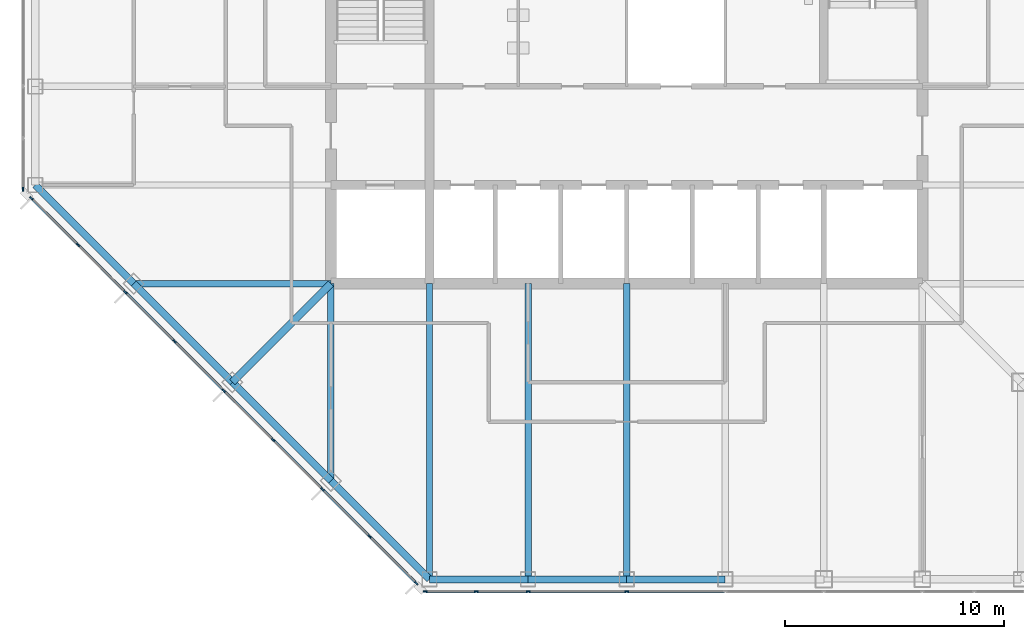
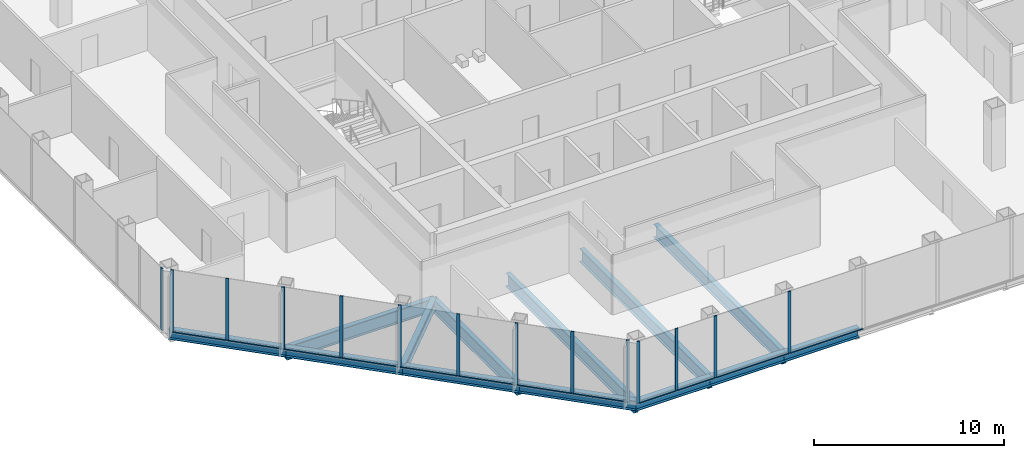
# One storey, part 2 of 13: 26 members, 13 beams, 3 elements without a shape of their own.
"""IFC4 building model written with IfcOpenShell, lengths in metres."""

from ifc_helpers import new_model, si_unit, direction, frame, origin, origin_2d, place, context, subcontext, project, spatial, rectangle, i_section, extrude, material, material_profile, profile_set, type_object, element, aggregate, save


model = new_model("IFC4")

# Units and contexts
model_context = context("Model", 3, precision=1e-05, world=origin(), true_north=direction((0.0, 1.0)))
body_context = subcontext(model_context, "Body", "Model", "MODEL_VIEW")
ifc_project = project(units=[si_unit("LENGTHUNIT", "METRE"), si_unit("AREAUNIT", "SQUARE_METRE"), si_unit("VOLUMEUNIT", "CUBIC_METRE"), si_unit("PLANEANGLEUNIT", "RADIAN"), si_unit("MASSUNIT", "GRAM", prefix="KILO")], contexts=[model_context])

# Site, building, storey
site_placement = place(None, origin())
site = spatial("IfcSite", under=ifc_project, at=site_placement, CompositionType="ELEMENT")
building_placement = place(site_placement, origin())
building = spatial("IfcBuilding", under=site, at=building_placement, Name="Corais Broadcast Tower", CompositionType="ELEMENT")
storey_placement = place(building_placement, frame((0.0, 0.0, 175.60009765625)))
storey = spatial("IfcBuildingStorey", under=building, at=storey_placement, Name="L40", CompositionType="ELEMENT", Elevation=175.60009765625)

# Beams
ifc_material_1 = material(Name="Steel ASTM A572 Grade 50", Category="steel")
ifc_material_profile_1 = material_profile(ifc_material_1, i_section(OverallWidth=0.323974609375, OverallDepth=0.611083984375, WebThickness=0.0126953125, FlangeThickness=0.01904296875, at=origin_2d()), Name="W610x155")
ifc_profile_set_1 = profile_set([ifc_material_profile_1], Name="Steel ASTM A572 Grade 50")
beam_type_1 = type_object("IfcBeamType", Name="Corner diagonal W610x155", PredefinedType="BEAM", material=ifc_profile_set_1)
beam_1_placement = place(storey_placement, frame((9.0, 9.0, -0.465576171875), z_axis=(0.707106781187, 0.707106781187, 0.0), x_axis=(-0.707106781187, 0.707106781187, 0.0)))
element("IfcBeam", 1, at=beam_1_placement, inside=storey, type_object=beam_type_1, Name="B6 C/5 to D/6", PredefinedType="BEAM", context=body_context, shape_type="SweptSolid", body=[
    extrude(i_section(OverallWidth=0.323974609375, OverallDepth=0.611083984375, WebThickness=0.0126953125, FlangeThickness=0.01904296875, at=origin_2d()), origin(), (0.0, 0.0, 1.0), 6.364013671875),
])
ifc_material_2 = material(Name="Steel ASTM A572 Grade 50", Category="steel")
ifc_material_profile_2 = material_profile(ifc_material_2, i_section(OverallWidth=0.2939453125, OverallDepth=0.85107421875, WebThickness=0.01611328125, FlangeThickness=0.02685546875, at=origin_2d()), Name="W840x226")
ifc_profile_set_2 = profile_set([ifc_material_profile_2], Name="Steel ASTM A572 Grade 50")
beam_type_2 = type_object("IfcBeamType", Name="Floor beam W840x226", PredefinedType="BEAM", material=ifc_profile_set_2)
beam_2_placement = place(storey_placement, frame((13.5, 4.5, -0.585693359375), z_axis=(0.0, 1.0, 0.0), x_axis=(-1.0, 0.0, 0.0)))
element("IfcBeam", 2, at=beam_2_placement, inside=storey, type_object=beam_type_2, Name="B1 B/6 to D/6", PredefinedType="BEAM", context=body_context, shape_type="SweptSolid", body=[
    extrude(i_section(OverallWidth=0.2939453125, OverallDepth=0.85107421875, WebThickness=0.01611328125, FlangeThickness=0.02685546875, at=origin_2d()), origin(), (0.0, 0.0, 1.0), 9.0),
])
for number, where, z_axis, x_axis, name in (
    (3, (18.0, 0.0, -0.585693359375), (0.0, 1.0, 0.0), (-1.0, 0.0, 0.0), "B1 A/7 to D/7"),
    (4, (22.5, 0.0, -0.585693359375), (0.0, 1.0, 0.0), (-1.0, 0.0, 0.0), "B1 A/8 to D/8"),
    (5, (27.0, 0.0, -0.585693359375), (0.0, 1.0, 0.0), (-1.0, 0.0, 0.0), "B1 A/9 to D/9"),
):
    element("IfcBeam", number, at=place(storey_placement, frame(where, z_axis=z_axis, x_axis=x_axis)), inside=storey, type_object=beam_type_2, Name=name, PredefinedType="BEAM", context=body_context, shape_type="SweptSolid", body=[
        extrude(i_section(OverallWidth=0.2939453125, OverallDepth=0.85107421875, WebThickness=0.01611328125, FlangeThickness=0.02685546875, at=origin_2d()), origin(), (0.0, 0.0, 1.0), 13.5),
    ])
beam_3_placement = place(storey_placement, frame((4.5, 13.5, -0.585693359375), z_axis=(1.0, 0.0, 0.0), x_axis=(0.0, 1.0, 0.0)))
element("IfcBeam", 6, at=beam_3_placement, inside=storey, type_object=beam_type_2, Name="B1 D/4 to D/6", PredefinedType="BEAM", context=body_context, shape_type="SweptSolid", body=[
    extrude(i_section(OverallWidth=0.2939453125, OverallDepth=0.85107421875, WebThickness=0.01611328125, FlangeThickness=0.02685546875, at=origin_2d()), origin(), (0.0, 0.0, 1.0), 9.0),
])

# Curtain wall, members
ifc_material_3 = material(Name="Aluminium and glass", Category="aluminium")
curtain_wall_type = type_object("IfcCurtainWallType", Name="Unitised fritted curtain wall CW2", PredefinedType="NOTDEFINED", material=ifc_material_3)
curtain_wall_1_placement = place(storey_placement, origin())
curtain_wall_1 = element("IfcCurtainWall", 7, at=curtain_wall_1_placement, inside=storey, type_object=curtain_wall_type, Name="CW2 curtain wall L40 1", PredefinedType="NOTDEFINED")
ifc_material_4 = material(Name="Aluminium 6063-T6", Category="aluminium")
ifc_material_profile_3 = material_profile(ifc_material_4, rectangle(XDim=0.06494140625, YDim=0.179931640625, at=origin_2d()), Name="Mullion CW2 65x180")
ifc_profile_set_3 = profile_set([ifc_material_profile_3], Name="Aluminium 6063-T6")
member_type_1 = type_object("IfcMemberType", Name="Mullion CW2 65x180", PredefinedType="MULLION", material=ifc_profile_set_3)
member_1_placement = place(storey_placement, frame((17.3955078125, -0.17333984375, 0.0), z_axis=(0.0, 0.0, 1.0), x_axis=(-0.707106781187, -0.707106781187, 0.0)))
member_1 = element("IfcMember", 8, at=member_1_placement, type_object=member_type_1, Name="CW2 mullion 1", PredefinedType="MULLION", context=body_context, shape_type="SweptSolid", body=[
    extrude(rectangle(XDim=0.06494140625, YDim=0.179931640625, at=origin_2d()), origin(), (0.0, 0.0, 1.0), 4.0),
])
member_2_placement = place(storey_placement, frame((15.264892578125, 1.957275390625, 0.0), z_axis=(0.0, 0.0, 1.0), x_axis=(-0.707106781187, -0.707106781187, 0.0)))
member_2 = element("IfcMember", 9, at=member_2_placement, type_object=member_type_1, Name="CW2 mullion 2", PredefinedType="MULLION", context=body_context, shape_type="SweptSolid", body=[
    extrude(rectangle(XDim=0.06494140625, YDim=0.179931640625, at=origin_2d()), origin(), (0.0, 0.0, 1.0), 4.0),
])
member_3_placement = place(storey_placement, frame((13.111083984375, 4.111083984375, 0.0), z_axis=(0.0, 0.0, 1.0), x_axis=(-0.707106781187, -0.707106781187, 0.0)))
member_3 = element("IfcMember", 10, at=member_3_placement, type_object=member_type_1, Name="CW2 mullion 3", PredefinedType="MULLION", context=body_context, shape_type="SweptSolid", body=[
    extrude(rectangle(XDim=0.06494140625, YDim=0.179931640625, at=origin_2d()), origin(), (0.0, 0.0, 1.0), 4.0),
])
member_4_placement = place(storey_placement, frame((10.861083984375, 6.361083984375, 0.0), z_axis=(0.0, 0.0, 1.0), x_axis=(-0.707106781187, -0.707106781187, 0.0)))
member_4 = element("IfcMember", 11, at=member_4_placement, type_object=member_type_1, Name="CW2 mullion 4", PredefinedType="MULLION", context=body_context, shape_type="SweptSolid", body=[
    extrude(rectangle(XDim=0.06494140625, YDim=0.179931640625, at=origin_2d()), origin(), (0.0, 0.0, 1.0), 4.0),
])
member_5_placement = place(storey_placement, frame((8.611083984375, 8.611083984375, 0.0), z_axis=(0.0, 0.0, 1.0), x_axis=(-0.707106781187, -0.707106781187, 0.0)))
member_5 = element("IfcMember", 12, at=member_5_placement, type_object=member_type_1, Name="CW2 mullion 5", PredefinedType="MULLION", context=body_context, shape_type="SweptSolid", body=[
    extrude(rectangle(XDim=0.06494140625, YDim=0.179931640625, at=origin_2d()), origin(), (0.0, 0.0, 1.0), 4.0),
])
member_6_placement = place(storey_placement, frame((6.361083984375, 10.861083984375, 0.0), z_axis=(0.0, 0.0, 1.0), x_axis=(-0.707106781187, -0.707106781187, 0.0)))
member_6 = element("IfcMember", 13, at=member_6_placement, type_object=member_type_1, Name="CW2 mullion 6", PredefinedType="MULLION", context=body_context, shape_type="SweptSolid", body=[
    extrude(rectangle(XDim=0.06494140625, YDim=0.179931640625, at=origin_2d()), origin(), (0.0, 0.0, 1.0), 4.0),
])
member_7_placement = place(storey_placement, frame((4.111083984375, 13.111083984375, 0.0), z_axis=(0.0, 0.0, 1.0), x_axis=(-0.707106781187, -0.707106781187, 0.0)))
member_7 = element("IfcMember", 14, at=member_7_placement, type_object=member_type_1, Name="CW2 mullion 7", PredefinedType="MULLION", context=body_context, shape_type="SweptSolid", body=[
    extrude(rectangle(XDim=0.06494140625, YDim=0.179931640625, at=origin_2d()), origin(), (0.0, 0.0, 1.0), 4.0),
])
member_8_placement = place(storey_placement, frame((1.957275390625, 15.264892578125, 0.0), z_axis=(0.0, 0.0, 1.0), x_axis=(-0.707106781187, -0.707106781187, 0.0)))
member_8 = element("IfcMember", 15, at=member_8_placement, type_object=member_type_1, Name="CW2 mullion 8", PredefinedType="MULLION", context=body_context, shape_type="SweptSolid", body=[
    extrude(rectangle(XDim=0.06494140625, YDim=0.179931640625, at=origin_2d()), origin(), (0.0, 0.0, 1.0), 4.0),
])
member_9_placement = place(storey_placement, frame((-0.17333984375, 17.3955078125, 0.0), z_axis=(0.0, 0.0, 1.0), x_axis=(-0.707106781187, -0.707106781187, 0.0)))
member_9 = element("IfcMember", 16, at=member_9_placement, type_object=member_type_1, Name="CW2 mullion 9", PredefinedType="MULLION", context=body_context, shape_type="SweptSolid", body=[
    extrude(rectangle(XDim=0.06494140625, YDim=0.179931640625, at=origin_2d()), origin(), (0.0, 0.0, 1.0), 4.0),
])

# Curtain wall, member
curtain_wall_2_placement = place(storey_placement, origin())
curtain_wall_2 = element("IfcCurtainWall", 17, at=curtain_wall_2_placement, inside=storey, type_object=curtain_wall_type, Name="CW2 curtain wall L40 2", PredefinedType="NOTDEFINED")
member_10_placement = place(storey_placement, frame((-0.550048828125, 17.8046875, 0.0), z_axis=(0.0, 0.0, 1.0), x_axis=(-1.0, 0.0, 0.0)))
member_10 = element("IfcMember", 18, at=member_10_placement, type_object=member_type_1, Name="CW2 mullion 1", PredefinedType="MULLION", context=body_context, shape_type="SweptSolid", body=[
    extrude(rectangle(XDim=0.06494140625, YDim=0.179931640625, at=origin_2d()), origin(), (0.0, 0.0, 1.0), 4.0),
])
aggregate(curtain_wall_2, [member_10])

# Curtain wall, members
curtain_wall_3_placement = place(storey_placement, origin())
curtain_wall_3 = element("IfcCurtainWall", 19, at=curtain_wall_3_placement, inside=storey, type_object=curtain_wall_type, Name="CW2 curtain wall L40 8", PredefinedType="NOTDEFINED")
member_11_placement = place(storey_placement, frame((27.0, -0.550048828125, 0.0), z_axis=(0.0, 0.0, 1.0), x_axis=(0.0, -1.0, 0.0)))
member_11 = element("IfcMember", 20, at=member_11_placement, type_object=member_type_1, Name="CW2 mullion 6", PredefinedType="MULLION", context=body_context, shape_type="SweptSolid", body=[
    extrude(rectangle(XDim=0.06494140625, YDim=0.179931640625, at=origin_2d()), origin(), (0.0, 0.0, 1.0), 4.0),
])
member_12_placement = place(storey_placement, frame((22.5, -0.550048828125, 0.0), z_axis=(0.0, 0.0, 1.0), x_axis=(0.0, -1.0, 0.0)))
member_12 = element("IfcMember", 21, at=member_12_placement, type_object=member_type_1, Name="CW2 mullion 7", PredefinedType="MULLION", context=body_context, shape_type="SweptSolid", body=[
    extrude(rectangle(XDim=0.06494140625, YDim=0.179931640625, at=origin_2d()), origin(), (0.0, 0.0, 1.0), 4.0),
])
member_13_placement = place(storey_placement, frame((20.135986328125, -0.550048828125, 0.0), z_axis=(0.0, 0.0, 1.0), x_axis=(0.0, -1.0, 0.0)))
member_13 = element("IfcMember", 22, at=member_13_placement, type_object=member_type_1, Name="CW2 mullion 8", PredefinedType="MULLION", context=body_context, shape_type="SweptSolid", body=[
    extrude(rectangle(XDim=0.06494140625, YDim=0.179931640625, at=origin_2d()), origin(), (0.0, 0.0, 1.0), 4.0),
])
member_14_placement = place(storey_placement, frame((17.8046875, -0.550048828125, 0.0), z_axis=(0.0, 0.0, 1.0), x_axis=(0.0, -1.0, 0.0)))
member_14 = element("IfcMember", 23, at=member_14_placement, type_object=member_type_1, Name="CW2 mullion 9", PredefinedType="MULLION", context=body_context, shape_type="SweptSolid", body=[
    extrude(rectangle(XDim=0.06494140625, YDim=0.179931640625, at=origin_2d()), origin(), (0.0, 0.0, 1.0), 4.0),
])

# Beams
ifc_material_5 = material(Name="Steel ASTM A572 Grade 50", Category="steel")
ifc_material_profile_4 = material_profile(ifc_material_5, i_section(OverallWidth=0.3291015625, OverallDepth=0.635009765625, WebThickness=0.017822265625, FlangeThickness=0.031005859375, at=origin_2d()), Name="W610x241")
ifc_profile_set_4 = profile_set([ifc_material_profile_4], Name="Steel ASTM A572 Grade 50")
beam_type_3 = type_object("IfcBeamType", Name="Spandrel W610x241", PredefinedType="BEAM", material=ifc_profile_set_4)
for number, where, z_axis, x_axis, name in (
    (24, (0.0, 18.0, -0.4775390625), (0.707106781187, -0.707106781187, 0.0), (0.707106781187, 0.707106781187, 0.0), "SB1 E/3 to D/4"),
    (25, (13.5, 4.5, -0.4775390625), (0.707106781187, -0.707106781187, 0.0), (0.707106781187, 0.707106781187, 0.0), "SB1 B/6 to A/7"),
):
    element("IfcBeam", number, at=place(storey_placement, frame(where, z_axis=z_axis, x_axis=x_axis)), inside=storey, type_object=beam_type_3, Name=name, PredefinedType="BEAM", context=body_context, shape_type="SweptSolid", body=[
        extrude(i_section(OverallWidth=0.3291015625, OverallDepth=0.635009765625, WebThickness=0.017822265625, FlangeThickness=0.031005859375, at=origin_2d()), origin(), (0.0, 0.0, 1.0), 6.364013671875),
    ])
for number, where, z_axis, x_axis, name in (
    (26, (18.0, 0.0, -0.4775390625), (1.0, 0.0, 0.0), (0.0, 1.0, 0.0), "SB1 A/7 to A/8"),
    (27, (22.5, 0.0, -0.4775390625), (1.0, 0.0, 0.0), (0.0, 1.0, 0.0), "SB1 A/8 to A/9"),
    (28, (27.0, 0.0, -0.4775390625), (1.0, 0.0, 0.0), (0.0, 1.0, 0.0), "SB1 A/9 to A/10"),
):
    element("IfcBeam", number, at=place(storey_placement, frame(where, z_axis=z_axis, x_axis=x_axis)), inside=storey, type_object=beam_type_3, Name=name, PredefinedType="BEAM", context=body_context, shape_type="SweptSolid", body=[
        extrude(i_section(OverallWidth=0.3291015625, OverallDepth=0.635009765625, WebThickness=0.017822265625, FlangeThickness=0.031005859375, at=origin_2d()), origin(), (0.0, 0.0, 1.0), 4.5),
    ])
for number, where, z_axis, x_axis, name in (
    (29, (4.5, 13.5, -0.4775390625), (0.707106781187, -0.707106781187, 0.0), (0.707106781187, 0.707106781187, 0.0), "SB1 D/4 to C/5"),
    (30, (9.0, 9.0, -0.4775390625), (0.707106781187, -0.707106781187, 0.0), (0.707106781187, 0.707106781187, 0.0), "SB1 C/5 to B/6"),
):
    element("IfcBeam", number, at=place(storey_placement, frame(where, z_axis=z_axis, x_axis=x_axis)), inside=storey, type_object=beam_type_3, Name=name, PredefinedType="BEAM", context=body_context, shape_type="SweptSolid", body=[
        extrude(i_section(OverallWidth=0.3291015625, OverallDepth=0.635009765625, WebThickness=0.017822265625, FlangeThickness=0.031005859375, at=origin_2d()), origin(), (0.0, 0.0, 1.0), 6.364013671875),
    ])

# Member
ifc_material_6 = material(Name="Aluminium 6063-T6", Category="aluminium")
ifc_material_profile_5 = material_profile(ifc_material_6, rectangle(XDim=0.1298828125, YDim=0.06494140625, at=origin_2d()), Name="Transom CW2 65x130")
ifc_profile_set_5 = profile_set([ifc_material_profile_5], Name="Aluminium 6063-T6")
member_type_2 = type_object("IfcMemberType", Name="Transom CW2 65x130", PredefinedType="USERDEFINED", material=ifc_profile_set_5)
member_15_placement = place(storey_placement, frame((17.37255859375, -0.150390625, 0.032470703125), z_axis=(-0.707106781187, 0.707106781187, 0.0), x_axis=(-0.707106781187, -0.707106781187, 0.0)))
member_15 = element("IfcMember", 31, at=member_15_placement, type_object=member_type_2, Name="CW2 transom 1.1", ObjectType="TRANSOM", PredefinedType="USERDEFINED", context=body_context, shape_type="SweptSolid", body=[
    extrude(rectangle(XDim=0.1298828125, YDim=0.06494140625, at=origin_2d()), origin(), (0.0, 0.0, 1.0), 2.9482421875),
])

member_16_placement = place(storey_placement, frame((15.241943359375, 1.980224609375, 0.032470703125), z_axis=(-0.707106781187, 0.707106781187, 0.0), x_axis=(-0.707106781187, -0.707106781187, 0.0)))
member_16 = element("IfcMember", 32, at=member_16_placement, type_object=member_type_2, Name="CW2 transom 2.1", ObjectType="TRANSOM", PredefinedType="USERDEFINED", context=body_context, shape_type="SweptSolid", body=[
    extrude(rectangle(XDim=0.1298828125, YDim=0.06494140625, at=origin_2d()), origin(), (0.0, 0.0, 1.0), 2.98095703125),
])

member_17_placement = place(storey_placement, frame((13.088134765625, 4.134033203125, 0.032470703125), z_axis=(-0.707106781187, 0.707106781187, 0.0), x_axis=(-0.707106781187, -0.707106781187, 0.0)))
member_17 = element("IfcMember", 33, at=member_17_placement, type_object=member_type_2, Name="CW2 transom 3.1", ObjectType="TRANSOM", PredefinedType="USERDEFINED", context=body_context, shape_type="SweptSolid", body=[
    extrude(rectangle(XDim=0.1298828125, YDim=0.06494140625, at=origin_2d()), origin(), (0.0, 0.0, 1.0), 3.1171875),
])

member_18_placement = place(storey_placement, frame((10.838134765625, 6.384033203125, 0.032470703125), z_axis=(-0.707106781187, 0.707106781187, 0.0), x_axis=(-0.707106781187, -0.707106781187, 0.0)))
member_18 = element("IfcMember", 34, at=member_18_placement, type_object=member_type_2, Name="CW2 transom 4.1", ObjectType="TRANSOM", PredefinedType="USERDEFINED", context=body_context, shape_type="SweptSolid", body=[
    extrude(rectangle(XDim=0.1298828125, YDim=0.06494140625, at=origin_2d()), origin(), (0.0, 0.0, 1.0), 3.1171875),
])

member_19_placement = place(storey_placement, frame((8.588134765625, 8.634033203125, 0.032470703125), z_axis=(-0.707106781187, 0.707106781187, 0.0), x_axis=(-0.707106781187, -0.707106781187, 0.0)))
member_19 = element("IfcMember", 35, at=member_19_placement, type_object=member_type_2, Name="CW2 transom 5.1", ObjectType="TRANSOM", PredefinedType="USERDEFINED", context=body_context, shape_type="SweptSolid", body=[
    extrude(rectangle(XDim=0.1298828125, YDim=0.06494140625, at=origin_2d()), origin(), (0.0, 0.0, 1.0), 3.1171875),
])

member_20_placement = place(storey_placement, frame((6.338134765625, 10.884033203125, 0.032470703125), z_axis=(-0.707106781187, 0.707106781187, 0.0), x_axis=(-0.707106781187, -0.707106781187, 0.0)))
member_20 = element("IfcMember", 36, at=member_20_placement, type_object=member_type_2, Name="CW2 transom 6.1", ObjectType="TRANSOM", PredefinedType="USERDEFINED", context=body_context, shape_type="SweptSolid", body=[
    extrude(rectangle(XDim=0.1298828125, YDim=0.06494140625, at=origin_2d()), origin(), (0.0, 0.0, 1.0), 3.1171875),
])

member_21_placement = place(storey_placement, frame((4.088134765625, 13.134033203125, 0.032470703125), z_axis=(-0.707065828661, 0.70714773134, 0.0), x_axis=(-0.70714773134, -0.707065828661, 0.0)))
member_21 = element("IfcMember", 37, at=member_21_placement, type_object=member_type_2, Name="CW2 transom 7.1", ObjectType="TRANSOM", PredefinedType="USERDEFINED", context=body_context, shape_type="SweptSolid", body=[
    extrude(rectangle(XDim=0.1298828125, YDim=0.06494140625, at=origin_2d()), origin(), (0.0, 0.0, 1.0), 2.98095703125),
])

member_22_placement = place(storey_placement, frame((1.934326171875, 15.287841796875, 0.032470703125), z_axis=(-0.707106781187, 0.707106781187, 0.0), x_axis=(-0.707106781187, -0.707106781187, 0.0)))
member_22 = element("IfcMember", 38, at=member_22_placement, type_object=member_type_2, Name="CW2 transom 8.1", ObjectType="TRANSOM", PredefinedType="USERDEFINED", context=body_context, shape_type="SweptSolid", body=[
    extrude(rectangle(XDim=0.1298828125, YDim=0.06494140625, at=origin_2d()), origin(), (0.0, 0.0, 1.0), 2.9482421875),
])

aggregate(curtain_wall_1, [member_1, member_2, member_3, member_4, member_5, member_6, member_7, member_8, member_9, member_15, member_16, member_17, member_18, member_19, member_20, member_21, member_22])

member_23_placement = place(storey_placement, frame((31.467529296875, -0.550048828125, 0.032470703125), z_axis=(-1.0, 0.0, 0.0), x_axis=(0.0, -1.0, 0.0)))
member_23 = element("IfcMember", 39, at=member_23_placement, type_object=member_type_2, Name="CW2 transom 5.1", ObjectType="TRANSOM", PredefinedType="USERDEFINED", context=body_context, shape_type="SweptSolid", body=[
    extrude(rectangle(XDim=0.1298828125, YDim=0.06494140625, at=origin_2d()), origin(), (0.0, 0.0, 1.0), 4.43505859375),
])

member_24_placement = place(storey_placement, frame((26.967529296875, -0.550048828125, 0.032470703125), z_axis=(-1.0, 0.0, 0.0), x_axis=(0.0, -1.0, 0.0)))
member_24 = element("IfcMember", 40, at=member_24_placement, type_object=member_type_2, Name="CW2 transom 6.1", ObjectType="TRANSOM", PredefinedType="USERDEFINED", context=body_context, shape_type="SweptSolid", body=[
    extrude(rectangle(XDim=0.1298828125, YDim=0.06494140625, at=origin_2d()), origin(), (0.0, 0.0, 1.0), 4.43505859375),
])

member_25_placement = place(storey_placement, frame((22.467529296875, -0.550048828125, 0.032470703125), z_axis=(-1.0, 0.0, 0.0), x_axis=(0.0, -1.0, 0.0)))
member_25 = element("IfcMember", 41, at=member_25_placement, type_object=member_type_2, Name="CW2 transom 7.1", ObjectType="TRANSOM", PredefinedType="USERDEFINED", context=body_context, shape_type="SweptSolid", body=[
    extrude(rectangle(XDim=0.1298828125, YDim=0.06494140625, at=origin_2d()), origin(), (0.0, 0.0, 1.0), 2.298828125),
])

member_26_placement = place(storey_placement, frame((20.103515625, -0.550048828125, 0.032470703125), z_axis=(-1.0, 0.0, 0.0), x_axis=(0.0, -1.0, 0.0)))
member_26 = element("IfcMember", 42, at=member_26_placement, type_object=member_type_2, Name="CW2 transom 8.1", ObjectType="TRANSOM", PredefinedType="USERDEFINED", context=body_context, shape_type="SweptSolid", body=[
    extrude(rectangle(XDim=0.1298828125, YDim=0.06494140625, at=origin_2d()), origin(), (0.0, 0.0, 1.0), 2.266357421875),
])

aggregate(curtain_wall_3, [member_11, member_12, member_13, member_14, member_23, member_24, member_25, member_26])

save(model, "model.ifc")
